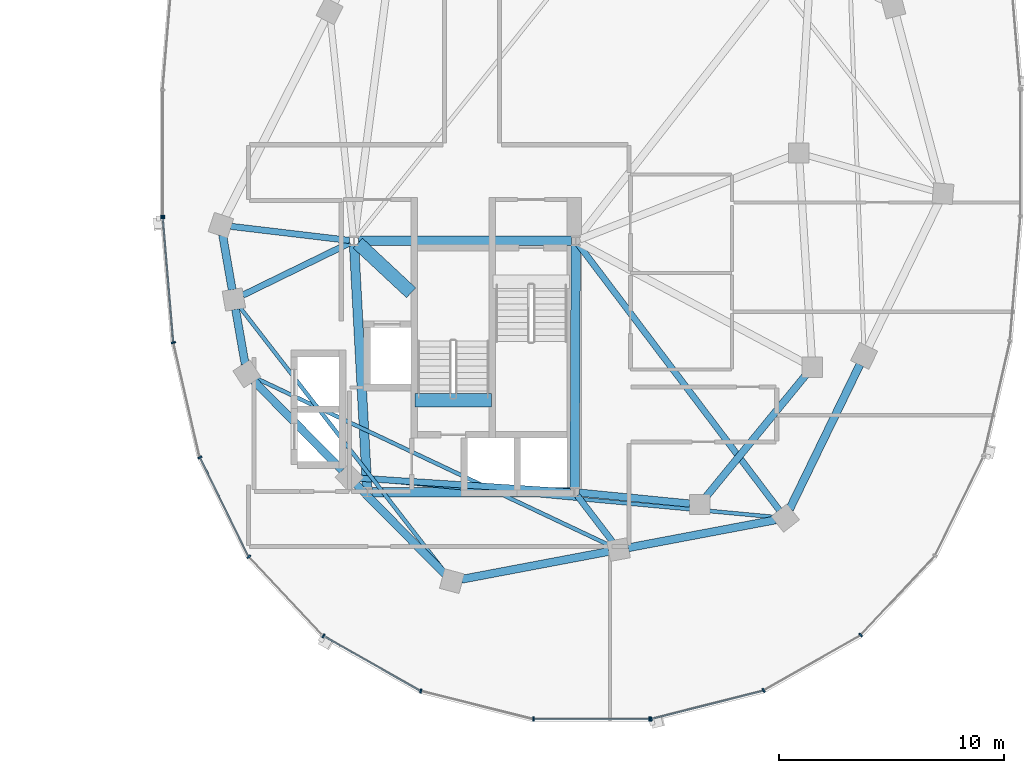
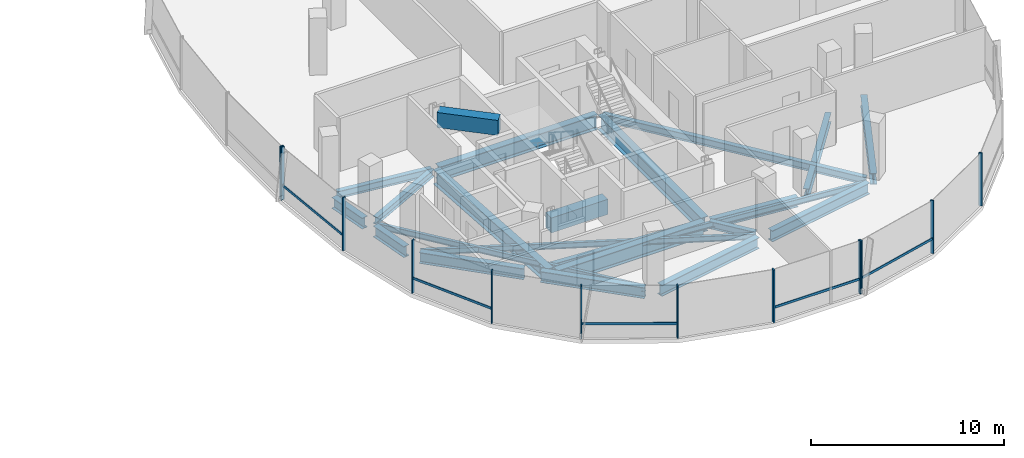
# One storey, part 8 of 25: 23 beams, 17 members, 3 elements without a shape of their own.
"""IFC4 building model written with IfcOpenShell, lengths in metres."""

from ifc_helpers import new_model, si_unit, direction, frame, origin, origin_2d, place, context, subcontext, project, spatial, rectangle, i_section, extrude, material, material_profile, profile_set, type_object, element, aggregate, save


model = new_model("IFC4")

# Units and contexts
model_context = context("Model", 3, precision=1e-05, world=origin(), true_north=direction((0.0, 1.0)))
body_context = subcontext(model_context, "Body", "Model", "MODEL_VIEW")
ifc_project = project(units=[si_unit("LENGTHUNIT", "METRE"), si_unit("AREAUNIT", "SQUARE_METRE"), si_unit("VOLUMEUNIT", "CUBIC_METRE"), si_unit("PLANEANGLEUNIT", "RADIAN"), si_unit("MASSUNIT", "GRAM", prefix="KILO"), si_unit("THERMODYNAMICTEMPERATUREUNIT", "KELVIN"), si_unit("POWERUNIT", "WATT")], contexts=[model_context])

# Site, building, storey
site_placement = place(None, origin())
site = spatial("IfcSite", under=ifc_project, at=site_placement, CompositionType="ELEMENT")
building_placement = place(site_placement, origin())
building = spatial("IfcBuilding", under=site, at=building_placement, Name="Cundina Bronze Exchange", CompositionType="ELEMENT")
storey_placement = place(building_placement, frame((0.0, 0.0, 199.0)))
storey = spatial("IfcBuildingStorey", under=building, at=storey_placement, Name="L52", CompositionType="ELEMENT", Elevation=199.0)

# Beams
ifc_material_1 = material(Name="Concrete C60/75", Category="concrete")
ifc_material_profile_1 = material_profile(ifc_material_1, rectangle(XDim=0.60009765625, YDim=0.949951171875, at=origin_2d()), Name="RC600X950", Category="concrete")
ifc_profile_set_1 = profile_set([ifc_material_profile_1], Name="Concrete C60/75")
beam_type_1 = type_object("IfcBeamType", Name="BM-COUP-RC950", PredefinedType="LINTEL", material=ifc_profile_set_1)
beam_1_placement = place(storey_placement, frame((24.159912109375, -10.97998046875, -0.47509765625), z_axis=(1.0, 0.0, 0.0), x_axis=(0.0, 1.0, 0.0)))
element("IfcBeam", 1, at=beam_1_placement, inside=storey, type_object=beam_type_1, Name="L52 Stair E2 Landing Header Beam", PredefinedType="LINTEL", context=body_context, shape_type="SweptSolid", body=[
    extrude(rectangle(XDim=0.60009765625, YDim=0.949951171875, at=origin_2d()), origin(), (0.0, 0.0, 1.0), 3.400146484375),
])
beam_2_placement = place(storey_placement, frame((21.6298828125, -4.0, 2.864990234375), z_axis=(0.731490439815, -0.681851696822, 0.0), x_axis=(0.681851696822, 0.731490439815, 0.0)))
element("IfcBeam", 2, at=beam_2_placement, inside=storey, type_object=beam_type_1, Name="L52 E Core Shear Coupling Lintel Beam", PredefinedType="LINTEL", context=body_context, shape_type="SweptSolid", body=[
    extrude(rectangle(XDim=0.60009765625, YDim=0.949951171875, at=origin_2d()), origin(), (0.0, 0.0, 1.0), 3.226318359375),
])
ifc_material_2 = material(Name="Steel ASTM A992 Grade 50", Category="steel")
ifc_material_profile_2 = material_profile(ifc_material_2, i_section(OverallWidth=0.280029296875, OverallDepth=0.462890625, WebThickness=0.0107421875, FlangeThickness=0.017333984375, FilletRadius=0.011962890625, at=origin_2d()), Name="W18X76", Category="steel")
ifc_profile_set_2 = profile_set([ifc_material_profile_2], Name="Steel ASTM A992 Grade 50")
beam_type_2 = type_object("IfcBeamType", Name="BM-FLR-W18A", PredefinedType="BEAM", material=ifc_profile_set_2)
beam_3_placement = place(storey_placement, frame((21.25537109375, -3.876953125, -0.491455078125), z_axis=(-0.993036786722, 0.117804669761, 0.0), x_axis=(-0.117804669761, -0.993036786722, 0.0)))
element("IfcBeam", 3, at=beam_3_placement, inside=storey, type_object=beam_type_2, Name="L52 Leg E Chordal Floor Beam 00", PredefinedType="BEAM", context=body_context, shape_type="SweptSolid", body=[
    extrude(i_section(OverallWidth=0.280029296875, OverallDepth=0.462890625, WebThickness=0.0107421875, FlangeThickness=0.017333984375, FilletRadius=0.011962890625, at=origin_2d()), origin(), (0.0, 0.0, 1.0), 5.307373046875),
])
beam_4_placement = place(storey_placement, frame((21.27392578125, -3.986083984375, -0.491455078125), z_axis=(-0.898613202677, -0.438741737214, 0.0), x_axis=(0.438741737214, -0.898613202677, 0.0)))
element("IfcBeam", 4, at=beam_4_placement, inside=storey, type_object=beam_type_2, Name="L52 Leg E Chordal Floor Beam 01", PredefinedType="BEAM", context=body_context, shape_type="SweptSolid", body=[
    extrude(i_section(OverallWidth=0.280029296875, OverallDepth=0.462890625, WebThickness=0.0107421875, FlangeThickness=0.017333984375, FilletRadius=0.011962890625, at=origin_2d()), origin(), (0.0, 0.0, 1.0), 5.2919921875),
])
beam_5_placement = place(storey_placement, frame((31.054443359375, -15.037353515625, -0.491455078125), z_axis=(-0.997894145252, 0.064863509559, 0.0), x_axis=(-0.064863509559, -0.997894145252, 0.0)))
element("IfcBeam", 5, at=beam_5_placement, inside=storey, type_object=beam_type_2, Name="L52 Leg E Chordal Floor Beam 03", PredefinedType="BEAM", context=body_context, shape_type="SweptSolid", body=[
    extrude(i_section(OverallWidth=0.280029296875, OverallDepth=0.462890625, WebThickness=0.0107421875, FlangeThickness=0.017333984375, FilletRadius=0.011962890625, at=origin_2d()), origin(), (0.0, 0.0, 1.0), 9.38720703125),
])
beam_6_placement = place(storey_placement, frame((31.369140625, -15.205810546875, -0.491455078125), z_axis=(0.60740437517, -0.794392802727, 0.0), x_axis=(0.794392802727, 0.60740437517, 0.0)))
element("IfcBeam", 6, at=beam_6_placement, inside=storey, type_object=beam_type_2, Name="L52 Leg E Chordal Floor Beam 05", PredefinedType="BEAM", context=body_context, shape_type="SweptSolid", body=[
    extrude(i_section(OverallWidth=0.280029296875, OverallDepth=0.462890625, WebThickness=0.0107421875, FlangeThickness=0.017333984375, FilletRadius=0.011962890625, at=origin_2d()), origin(), (0.0, 0.0, 1.0), 2.575927734375),
])
beam_7_placement = place(storey_placement, frame((31.418212890625, -4.056396484375, -0.491455078125), z_axis=(0.603104943786, -0.797661849897, 0.0), x_axis=(0.797661849897, 0.603104943786, 0.0)))
element("IfcBeam", 7, at=beam_7_placement, inside=storey, type_object=beam_type_2, Name="L52 Leg E Chordal Floor Beam 06", PredefinedType="BEAM", context=body_context, shape_type="SweptSolid", body=[
    extrude(i_section(OverallWidth=0.280029296875, OverallDepth=0.462890625, WebThickness=0.0107421875, FlangeThickness=0.017333984375, FilletRadius=0.011962890625, at=origin_2d()), origin(), (0.0, 0.0, 1.0), 14.785888671875),
])
ifc_material_profile_3 = material_profile(ifc_material_2, i_section(OverallWidth=0.172119140625, OverallDepth=0.35791015625, WebThickness=0.0078125, FlangeThickness=0.01318359375, FilletRadius=0.010009765625, at=origin_2d()), Name="W14X38", Category="steel")
ifc_profile_set_3 = profile_set([ifc_material_profile_3], Name="Steel ASTM A992 Grade 50")
beam_type_3 = type_object("IfcBeamType", Name="BM-JST-W14", PredefinedType="JOIST", material=ifc_profile_set_3)
beam_8_placement = place(storey_placement, frame((16.39306640625, -6.846435546875, -0.43896484375), z_axis=(0.612085793291, -0.790791364174, 0.0), x_axis=(0.790791364174, 0.612085793291, 0.0)))
element("IfcBeam", 8, at=beam_8_placement, inside=storey, type_object=beam_type_3, Name="L52 Leg E Lobe Floor Joist 01-04", PredefinedType="JOIST", context=body_context, shape_type="SweptSolid", body=[
    extrude(i_section(OverallWidth=0.172119140625, OverallDepth=0.35791015625, WebThickness=0.0078125, FlangeThickness=0.01318359375, FilletRadius=0.010009765625, at=origin_2d()), origin(), (0.0, 0.0, 1.0), 14.9306640625),
])
beam_9_placement = place(storey_placement, frame((17.095947265625, -9.9873046875, -0.43896484375), z_axis=(0.904073747204, -0.427376484632, 0.0), x_axis=(0.427376484632, 0.904073747204, 0.0)))
element("IfcBeam", 9, at=beam_9_placement, inside=storey, type_object=beam_type_3, Name="L52 Leg E Lobe Floor Joist 02-05", PredefinedType="JOIST", context=body_context, shape_type="SweptSolid", body=[
    extrude(i_section(OverallWidth=0.172119140625, OverallDepth=0.35791015625, WebThickness=0.0078125, FlangeThickness=0.01318359375, FilletRadius=0.010009765625, at=origin_2d()), origin(), (0.0, 0.0, 1.0), 17.374755859375),
])
beam_10_placement = place(storey_placement, frame((21.68603515625, -14.440673828125, -0.43896484375), z_axis=(0.9957017803, -0.092617302415, 0.0), x_axis=(0.092617302415, 0.9957017803, 0.0)))
element("IfcBeam", 10, at=beam_10_placement, inside=storey, type_object=beam_type_3, Name="L52 Leg E Lobe Floor Joist 03-06", PredefinedType="JOIST", context=body_context, shape_type="SweptSolid", body=[
    extrude(i_section(OverallWidth=0.172119140625, OverallDepth=0.35791015625, WebThickness=0.0078125, FlangeThickness=0.01318359375, FilletRadius=0.010009765625, at=origin_2d()), origin(), (0.0, 0.0, 1.0), 18.5576171875),
])
ifc_material_profile_4 = material_profile(ifc_material_2, i_section(OverallWidth=0.324951171875, OverallDepth=0.615966796875, WebThickness=0.013916015625, FlangeThickness=0.021484375, FilletRadius=0.01611328125, at=origin_2d()), Name="W24X117", Category="steel")
ifc_profile_set_4 = profile_set([ifc_material_profile_4], Name="Steel ASTM A992 Grade 50")
beam_type_4 = type_object("IfcBeamType", Name="BM-RING-W24", PredefinedType="USERDEFINED", material=ifc_profile_set_4)
beam_11_placement = place(storey_placement, frame((31.445068359375, -15.0693359375, -0.568115234375), z_axis=(0.995123854478, -0.09863323096, 0.0), x_axis=(0.09863323096, 0.995123854478, 0.0)))
element("IfcBeam", 11, at=beam_11_placement, inside=storey, type_object=beam_type_4, Name="L52 E Inner Structural Ring Girder 01", ObjectType="GIRDER", PredefinedType="USERDEFINED", context=body_context, shape_type="SweptSolid", body=[
    extrude(i_section(OverallWidth=0.324951171875, OverallDepth=0.615966796875, WebThickness=0.013916015625, FlangeThickness=0.021484375, FilletRadius=0.01611328125, at=origin_2d()), origin(), (0.0, 0.0, 1.0), 4.943115234375),
])
beam_12_placement = place(storey_placement, frame((37.07763671875, -15.26123046875, -0.568115234375), z_axis=(0.633912590175, 0.77340469873, 0.0), x_axis=(-0.77340469873, 0.633912590175, 0.0)))
element("IfcBeam", 12, at=beam_12_placement, inside=storey, type_object=beam_type_4, Name="L52 E Inner Structural Ring Girder 02", ObjectType="GIRDER", PredefinedType="USERDEFINED", context=body_context, shape_type="SweptSolid", body=[
    extrude(i_section(OverallWidth=0.324951171875, OverallDepth=0.615966796875, WebThickness=0.013916015625, FlangeThickness=0.021484375, FilletRadius=0.01611328125, at=origin_2d()), origin(), (0.0, 0.0, 1.0), 7.01123046875),
])
ifc_material_profile_5 = material_profile(ifc_material_2, i_section(OverallWidth=0.35498046875, OverallDepth=0.695068359375, WebThickness=0.015380859375, FlangeThickness=0.02490234375, FilletRadius=0.01806640625, at=origin_2d()), Name="W27X146", Category="steel")
ifc_profile_set_5 = profile_set([ifc_material_profile_5], Name="Steel ASTM A992 Grade 50")
beam_type_5 = type_object("IfcBeamType", Name="BM-RING-W27", PredefinedType="USERDEFINED", material=ifc_profile_set_5)
for number, where, z_axis, x_axis, name in (
    (13, (15.625244140625, -3.631591796875, -0.607421875), (0.171628556628, -0.985161732179, 0.0), (0.985161732179, 0.171628556628, 0.0), "L52 E Perimeter Ring Girder 00"),
    (14, (16.2001953125, -6.931396484375, -0.607421875), (0.171628556628, -0.985161732179, 0.0), (0.985161732179, 0.171628556628, 0.0), "L52 E Perimeter Ring Girder 01"),
):
    element("IfcBeam", number, at=place(storey_placement, frame(where, z_axis=z_axis, x_axis=x_axis)), inside=storey, type_object=beam_type_5, Name=name, ObjectType="GIRDER", PredefinedType="USERDEFINED", context=body_context, shape_type="SweptSolid", body=[
        extrude(i_section(OverallWidth=0.35498046875, OverallDepth=0.695068359375, WebThickness=0.015380859375, FlangeThickness=0.02490234375, FilletRadius=0.01806640625, at=origin_2d()), origin(), (0.0, 0.0, 1.0), 2.4736328125),
    ])
for number, where, z_axis, x_axis, name in (
    (15, (17.008056640625, -10.111328125, -0.607421875), (0.703211928763, -0.710980297368, 0.0), (0.710980297368, 0.703211928763, 0.0), "L52 E Perimeter Ring Girder 02"),
    (16, (21.55810546875, -14.71142578125, -0.607421875), (0.703211928763, -0.710980297368, 0.0), (0.710980297368, 0.703211928763, 0.0), "L52 E Perimeter Ring Girder 03"),
):
    element("IfcBeam", number, at=place(storey_placement, frame(where, z_axis=z_axis, x_axis=x_axis)), inside=storey, type_object=beam_type_5, Name=name, ObjectType="GIRDER", PredefinedType="USERDEFINED", context=body_context, shape_type="SweptSolid", body=[
        extrude(i_section(OverallWidth=0.35498046875, OverallDepth=0.695068359375, WebThickness=0.015380859375, FlangeThickness=0.02490234375, FilletRadius=0.01806640625, at=origin_2d()), origin(), (0.0, 0.0, 1.0), 5.593994140625),
    ])
beam_13_placement = place(storey_placement, frame((26.23046875, -18.918701171875, -0.607421875), z_axis=(0.982565174657, 0.185918470175, 0.0), x_axis=(-0.185918470175, 0.982565174657, 0.0)))
element("IfcBeam", 17, at=beam_13_placement, inside=storey, type_object=beam_type_5, Name="L52 E Perimeter Ring Girder 04", ObjectType="GIRDER", PredefinedType="USERDEFINED", context=body_context, shape_type="SweptSolid", body=[
    extrude(i_section(OverallWidth=0.35498046875, OverallDepth=0.695068359375, WebThickness=0.015380859375, FlangeThickness=0.02490234375, FilletRadius=0.01806640625, at=origin_2d()), origin(), (0.0, 0.0, 1.0), 6.655029296875),
])
beam_14_placement = place(storey_placement, frame((33.63037109375, -17.5185546875, -0.607421875), z_axis=(0.982573143022, 0.185876353022, 0.0), x_axis=(-0.185876353022, 0.982573143022, 0.0)))
element("IfcBeam", 18, at=beam_14_placement, inside=storey, type_object=beam_type_5, Name="L52 E Perimeter Ring Girder 05", ObjectType="GIRDER", PredefinedType="USERDEFINED", context=body_context, shape_type="SweptSolid", body=[
    extrude(i_section(OverallWidth=0.35498046875, OverallDepth=0.695068359375, WebThickness=0.015380859375, FlangeThickness=0.02490234375, FilletRadius=0.01806640625, at=origin_2d()), origin(), (0.0, 0.0, 1.0), 6.6552734375),
])
beam_15_placement = place(storey_placement, frame((40.79150390625, -15.80615234375, -0.607421875), z_axis=(0.437173087764, 0.89937739094, 0.0), x_axis=(-0.89937739094, 0.437173087764, 0.0)))
element("IfcBeam", 19, at=beam_15_placement, inside=storey, type_object=beam_type_5, Name="L52 E Perimeter Ring Girder 06", ObjectType="GIRDER", PredefinedType="USERDEFINED", context=body_context, shape_type="SweptSolid", body=[
    extrude(i_section(OverallWidth=0.35498046875, OverallDepth=0.695068359375, WebThickness=0.015380859375, FlangeThickness=0.02490234375, FilletRadius=0.01806640625, at=origin_2d()), origin(), (0.0, 0.0, 1.0), 7.1298828125),
])
ifc_material_profile_6 = material_profile(ifc_material_2, i_section(OverallWidth=0.41796875, OverallDepth=0.927001953125, WebThickness=0.019287109375, FlangeThickness=0.031982421875, FilletRadius=0.02392578125, at=origin_2d()), Name="W36X231", Category="steel")
ifc_profile_set_6 = profile_set([ifc_material_profile_6], Name="Steel ASTM A992 Grade 50")
beam_type_6 = type_object("IfcBeamType", Name="BM-WRN-W36B", PredefinedType="USERDEFINED", material=ifc_profile_set_6)
beam_16_placement = place(storey_placement, frame((31.10400390625, -3.89990234375, -0.723388671875), z_axis=(-1.0, 0.0, 0.0), x_axis=(0.0, -1.0, 0.0)))
element("IfcBeam", 20, at=beam_16_placement, inside=storey, type_object=beam_type_6, Name="L52 E Core Perimeter Tie Girder 1", ObjectType="GIRDER", PredefinedType="USERDEFINED", context=body_context, shape_type="SweptSolid", body=[
    extrude(i_section(OverallWidth=0.41796875, OverallDepth=0.927001953125, WebThickness=0.019287109375, FlangeThickness=0.031982421875, FilletRadius=0.02392578125, at=origin_2d()), origin(), (0.0, 0.0, 1.0), 9.4580078125),
])
beam_17_placement = place(storey_placement, frame((21.46044921875, -4.095703125, -0.723388671875), z_axis=(0.053749317644, -0.998554460634, 0.0), x_axis=(0.998554460634, 0.053749317644, 0.0)))
element("IfcBeam", 21, at=beam_17_placement, inside=storey, type_object=beam_type_6, Name="L52 E Core Perimeter Tie Girder 2", ObjectType="GIRDER", PredefinedType="USERDEFINED", context=body_context, shape_type="SweptSolid", body=[
    extrude(i_section(OverallWidth=0.41796875, OverallDepth=0.927001953125, WebThickness=0.019287109375, FlangeThickness=0.031982421875, FilletRadius=0.02392578125, at=origin_2d()), origin(), (0.0, 0.0, 1.0), 10.774169921875),
])
beam_18_placement = place(storey_placement, frame((22.24609375, -15.050048828125, -0.723388671875), z_axis=(1.0, 0.0, 0.0), x_axis=(0.0, 1.0, 0.0)))
element("IfcBeam", 22, at=beam_18_placement, inside=storey, type_object=beam_type_6, Name="L52 E Core Perimeter Tie Girder 3", ObjectType="GIRDER", PredefinedType="USERDEFINED", context=body_context, shape_type="SweptSolid", body=[
    extrude(i_section(OverallWidth=0.41796875, OverallDepth=0.927001953125, WebThickness=0.019287109375, FlangeThickness=0.031982421875, FilletRadius=0.02392578125, at=origin_2d()), origin(), (0.0, 0.0, 1.0), 8.807861328125),
])
beam_19_placement = place(storey_placement, frame((31.2509765625, -14.85400390625, -0.723388671875), z_axis=(0.004470623654, 0.999990006712, 0.0), x_axis=(-0.999990006712, 0.004470623654, 0.0)))
element("IfcBeam", 23, at=beam_19_placement, inside=storey, type_object=beam_type_6, Name="L52 E Core Perimeter Tie Girder 4", ObjectType="GIRDER", PredefinedType="USERDEFINED", context=body_context, shape_type="SweptSolid", body=[
    extrude(i_section(OverallWidth=0.41796875, OverallDepth=0.927001953125, WebThickness=0.019287109375, FlangeThickness=0.031982421875, FilletRadius=0.02392578125, at=origin_2d()), origin(), (0.0, 0.0, 1.0), 10.758056640625),
])

# Curtain wall, member
ifc_material_3 = material(Name="Anodised Bronze Aluminium 6063-T6", Category="aluminium")
curtain_wall_type = type_object("IfcCurtainWallType", Name="CWS-UPP-OFF", PredefinedType="NOTDEFINED", material=ifc_material_3)
curtain_wall_1_placement = place(storey_placement, origin())
curtain_wall_1 = element("IfcCurtainWall", 24, at=curtain_wall_1_placement, inside=storey, type_object=curtain_wall_type, Name="L52 CW-05 Curtain Wall Run CWR-L52-E2", PredefinedType="NOTDEFINED")
ifc_material_profile_7 = material_profile(ifc_material_3, rectangle(XDim=0.070068359375, YDim=0.18994140625, at=origin_2d()), Name="AL70X190", Category="aluminium")
ifc_profile_set_7 = profile_set([ifc_material_profile_7], Name="Anodised Bronze Aluminium 6063-T6")
member_type_1 = type_object("IfcMemberType", Name="CWM-MUL-190", PredefinedType="MULLION", material=ifc_profile_set_7)
member_1_placement = place(storey_placement, frame((12.966064453125, -2.794921875, 0.0), z_axis=(0.0, 0.0, 1.0), x_axis=(0.0, -1.0, 0.0)))
member_1 = element("IfcMember", 25, at=member_1_placement, type_object=member_type_1, Name="CW-05 End Mullion", PredefinedType="MULLION", context=body_context, shape_type="SweptSolid", body=[
    extrude(rectangle(XDim=0.070068359375, YDim=0.18994140625, at=origin_2d()), origin(), (0.0, 0.0, 1.0), 3.340087890625),
])
aggregate(curtain_wall_1, [member_1])

# Curtain wall, members
curtain_wall_2_placement = place(storey_placement, origin())
curtain_wall_2 = element("IfcCurtainWall", 26, at=curtain_wall_2_placement, inside=storey, type_object=curtain_wall_type, Name="L52 CW-05 Curtain Wall Run CWR-L52-E3", PredefinedType="NOTDEFINED")
member_2_placement = place(storey_placement, frame((12.9697265625, -2.88330078125, 0.0), z_axis=(0.0, 0.0, 1.0), x_axis=(0.083677843332, -0.99649285925, 0.0)))
member_2 = element("IfcMember", 27, at=member_2_placement, type_object=member_type_1, Name="CW-05 Mullion 1", PredefinedType="MULLION", context=body_context, shape_type="SweptSolid", body=[
    extrude(rectangle(XDim=0.070068359375, YDim=0.18994140625, at=origin_2d()), origin(), (0.0, 0.0, 1.0), 3.340087890625),
])
member_3_placement = place(storey_placement, frame((13.43994140625, -8.4111328125, 0.0), z_axis=(0.0, 0.0, 1.0), x_axis=(0.223250116011, -0.974761194191, 0.0)))
member_3 = element("IfcMember", 28, at=member_3_placement, type_object=member_type_1, Name="CW-05 Mullion 2", PredefinedType="MULLION", context=body_context, shape_type="SweptSolid", body=[
    extrude(rectangle(XDim=0.070068359375, YDim=0.18994140625, at=origin_2d()), origin(), (0.0, 0.0, 1.0), 3.340087890625),
])
member_4_placement = place(storey_placement, frame((14.61572265625, -13.50732421875, 0.0), z_axis=(0.0, 0.0, 1.0), x_axis=(0.440566004113, -0.897720221461, 0.0)))
member_4 = element("IfcMember", 29, at=member_4_placement, type_object=member_type_1, Name="CW-05 Mullion 3", PredefinedType="MULLION", context=body_context, shape_type="SweptSolid", body=[
    extrude(rectangle(XDim=0.070068359375, YDim=0.18994140625, at=origin_2d()), origin(), (0.0, 0.0, 1.0), 3.340087890625),
])
member_5_placement = place(storey_placement, frame((16.790283203125, -17.91796875, 0.0), z_axis=(0.0, 0.0, 1.0), x_axis=(0.684292606175, -0.729207535023, 0.0)))
member_5 = element("IfcMember", 30, at=member_5_placement, type_object=member_type_1, Name="CW-05 Mullion 4", PredefinedType="MULLION", context=body_context, shape_type="SweptSolid", body=[
    extrude(rectangle(XDim=0.070068359375, YDim=0.18994140625, at=origin_2d()), origin(), (0.0, 0.0, 1.0), 3.340087890625),
])
member_6_placement = place(storey_placement, frame((20.100341796875, -21.43115234375, 0.0), z_axis=(0.0, 0.0, 1.0), x_axis=(0.86958112538, -0.493790103568, 0.0)))
member_6 = element("IfcMember", 31, at=member_6_placement, type_object=member_type_1, Name="CW-05 Mullion 5", PredefinedType="MULLION", context=body_context, shape_type="SweptSolid", body=[
    extrude(rectangle(XDim=0.070068359375, YDim=0.18994140625, at=origin_2d()), origin(), (0.0, 0.0, 1.0), 3.340087890625),
])
member_7_placement = place(storey_placement, frame((24.422607421875, -23.87548828125, 0.0), z_axis=(0.0, 0.0, 1.0), x_axis=(0.969744325821, -0.244122802168, 0.0)))
member_7 = element("IfcMember", 32, at=member_7_placement, type_object=member_type_1, Name="CW-05 Mullion 6", PredefinedType="MULLION", context=body_context, shape_type="SweptSolid", body=[
    extrude(rectangle(XDim=0.070068359375, YDim=0.18994140625, at=origin_2d()), origin(), (0.0, 0.0, 1.0), 3.340087890625),
])
member_8_placement = place(storey_placement, frame((29.419921875, -25.125, 0.0), z_axis=(0.0, 0.0, 1.0), x_axis=(1.0, 0.0, 0.0)))
member_8 = element("IfcMember", 33, at=member_8_placement, type_object=member_type_1, Name="CW-05 Mullion 7", PredefinedType="MULLION", context=body_context, shape_type="SweptSolid", body=[
    extrude(rectangle(XDim=0.070068359375, YDim=0.18994140625, at=origin_2d()), origin(), (0.0, 0.0, 1.0), 3.340087890625),
])
member_9_placement = place(storey_placement, frame((34.580078125, -25.125, 0.0), z_axis=(0.0, 0.0, 1.0), x_axis=(1.0, 0.0, 0.0)))
member_9 = element("IfcMember", 34, at=member_9_placement, type_object=member_type_1, Name="CW-05 End Mullion", PredefinedType="MULLION", context=body_context, shape_type="SweptSolid", body=[
    extrude(rectangle(XDim=0.070068359375, YDim=0.18994140625, at=origin_2d()), origin(), (0.0, 0.0, 1.0), 3.340087890625),
])

curtain_wall_3_placement = place(storey_placement, origin())
curtain_wall_3 = element("IfcCurtainWall", 35, at=curtain_wall_3_placement, inside=storey, type_object=curtain_wall_type, Name="L52 CW-05 Curtain Wall Run CWR-L52-E4", PredefinedType="NOTDEFINED")
member_10_placement = place(storey_placement, frame((34.6484375, -25.116455078125, 0.0), z_axis=(0.0, 0.0, 1.0), x_axis=(0.969744325821, 0.244122802168, 0.0)))
member_10 = element("IfcMember", 36, at=member_10_placement, type_object=member_type_1, Name="CW-05 Mullion 1", PredefinedType="MULLION", context=body_context, shape_type="SweptSolid", body=[
    extrude(rectangle(XDim=0.070068359375, YDim=0.18994140625, at=origin_2d()), origin(), (0.0, 0.0, 1.0), 3.340087890625),
])
member_11_placement = place(storey_placement, frame((39.638916015625, -23.850830078125, 0.0), z_axis=(0.0, 0.0, 1.0), x_axis=(0.86958112538, 0.493790103568, 0.0)))
member_11 = element("IfcMember", 37, at=member_11_placement, type_object=member_type_1, Name="CW-05 Mullion 2", PredefinedType="MULLION", context=body_context, shape_type="SweptSolid", body=[
    extrude(rectangle(XDim=0.070068359375, YDim=0.18994140625, at=origin_2d()), origin(), (0.0, 0.0, 1.0), 3.340087890625),
])
member_12_placement = place(storey_placement, frame((43.94873046875, -21.392578125, 0.0), z_axis=(0.0, 0.0, 1.0), x_axis=(0.684292606175, 0.729207535023, 0.0)))
member_12 = element("IfcMember", 38, at=member_12_placement, type_object=member_type_1, Name="CW-05 Mullion 3", PredefinedType="MULLION", context=body_context, shape_type="SweptSolid", body=[
    extrude(rectangle(XDim=0.070068359375, YDim=0.18994140625, at=origin_2d()), origin(), (0.0, 0.0, 1.0), 3.340087890625),
])

# Member
ifc_material_profile_8 = material_profile(ifc_material_3, rectangle(XDim=0.06494140625, YDim=0.14990234375, at=origin_2d()), Name="AL65X150", Category="aluminium")
ifc_profile_set_8 = profile_set([ifc_material_profile_8], Name="Anodised Bronze Aluminium 6063-T6")
member_type_2 = type_object("IfcMemberType", Name="CWM-TRN-150", PredefinedType="USERDEFINED", material=ifc_profile_set_8)
member_13_placement = place(storey_placement, frame((12.972900390625, -2.921630859375, 0.919921875), z_axis=(0.083740331158, -0.996487610027, 0.0), x_axis=(0.996487610027, 0.083740331158, 0.0)))
member_13 = element("IfcMember", 39, at=member_13_placement, type_object=member_type_2, Name="CW-05 Spandrel Transom 1", ObjectType="TRANSOM", PredefinedType="USERDEFINED", context=body_context, shape_type="SweptSolid", body=[
    extrude(rectangle(XDim=0.06494140625, YDim=0.14990234375, at=origin_2d()), origin(), (0.0, 0.0, 1.0), 5.466552734375),
])

member_14_placement = place(storey_placement, frame((14.6328125, -13.5419921875, 0.919921875), z_axis=(0.440483110889, -0.897760897467, 0.0), x_axis=(0.897760897467, 0.440483110889, 0.0)))
member_14 = element("IfcMember", 40, at=member_14_placement, type_object=member_type_2, Name="CW-05 Spandrel Transom 3", ObjectType="TRANSOM", PredefinedType="USERDEFINED", context=body_context, shape_type="SweptSolid", body=[
    extrude(rectangle(XDim=0.06494140625, YDim=0.14990234375, at=origin_2d()), origin(), (0.0, 0.0, 1.0), 4.855224609375),
])

member_15_placement = place(storey_placement, frame((20.1337890625, -21.4501953125, 0.919921875), z_axis=(0.869573748083, -0.493803095013, 0.0), x_axis=(0.493803095013, 0.869573748083, 0.0)))
member_15 = element("IfcMember", 41, at=member_15_placement, type_object=member_type_2, Name="CW-05 Spandrel Transom 5", ObjectType="TRANSOM", PredefinedType="USERDEFINED", context=body_context, shape_type="SweptSolid", body=[
    extrude(rectangle(XDim=0.06494140625, YDim=0.14990234375, at=origin_2d()), origin(), (0.0, 0.0, 1.0), 4.900146484375),
])

member_16_placement = place(storey_placement, frame((29.45849609375, -25.125, 0.919921875), z_axis=(1.0, 0.0, 0.0), x_axis=(0.0, 1.0, 0.0)))
member_16 = element("IfcMember", 42, at=member_16_placement, type_object=member_type_2, Name="CW-05 Spandrel Transom 7", ObjectType="TRANSOM", PredefinedType="USERDEFINED", context=body_context, shape_type="SweptSolid", body=[
    extrude(rectangle(XDim=0.06494140625, YDim=0.14990234375, at=origin_2d()), origin(), (0.0, 0.0, 1.0), 5.0830078125),
])

aggregate(curtain_wall_2, [member_2, member_13, member_3, member_4, member_14, member_5, member_6, member_15, member_7, member_8, member_9, member_16])

member_17_placement = place(storey_placement, frame((34.685791015625, -25.107177734375, 0.919921875), z_axis=(0.969725738797, 0.244196624699, 0.0), x_axis=(-0.244196624699, 0.969725738797, 0.0)))
member_17 = element("IfcMember", 43, at=member_17_placement, type_object=member_type_2, Name="CW-05 Spandrel Transom 1", ObjectType="TRANSOM", PredefinedType="USERDEFINED", context=body_context, shape_type="SweptSolid", body=[
    extrude(rectangle(XDim=0.06494140625, YDim=0.14990234375, at=origin_2d()), origin(), (0.0, 0.0, 1.0), 5.082763671875),
])

aggregate(curtain_wall_3, [member_10, member_17, member_11, member_12])

save(model, "model.ifc")
